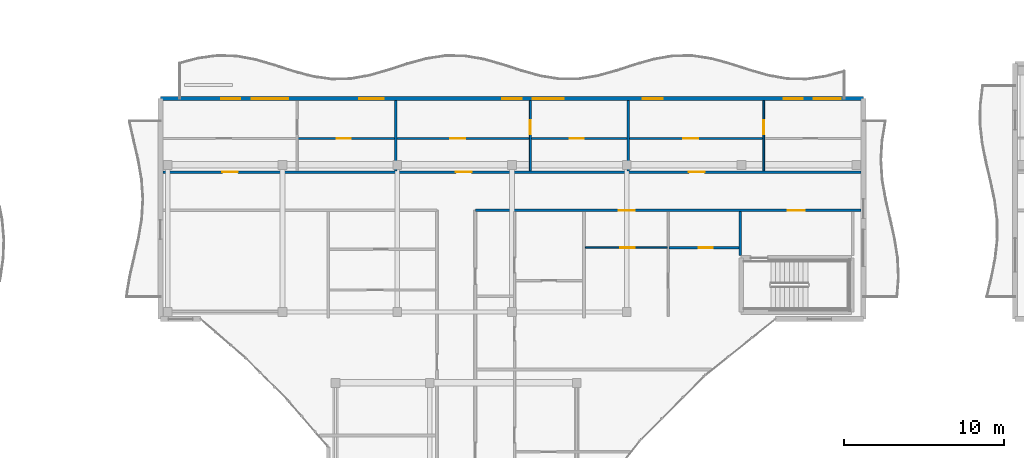
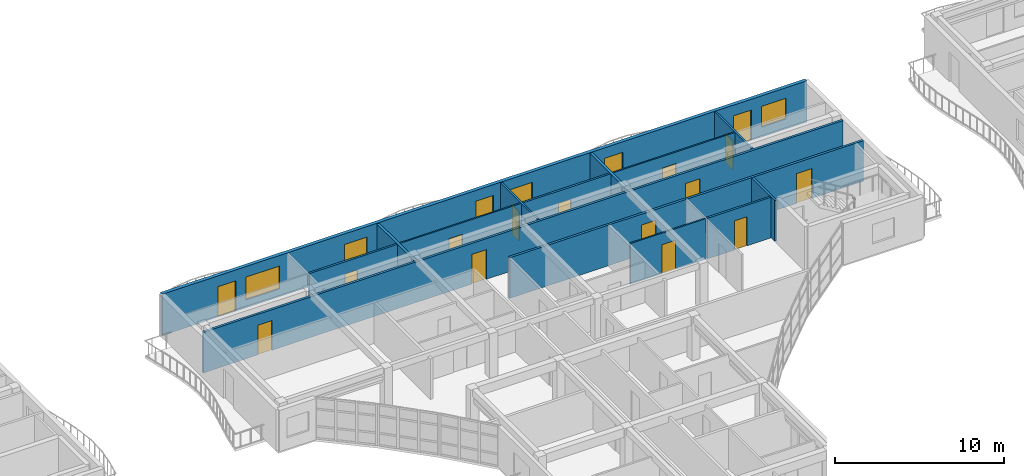
# One storey, part 31 of 49: 16 doors, 14 walls, 5 windows, 21 openings.
"""IFC4 building model written with IfcOpenShell, lengths in metres."""

from ifc_helpers import new_model, si_unit, direction, frame, frame_2d, origin, place, context, subcontext, project, spatial, rectangle, extrude, material, layer, layer_set, type_object, element, fill, save


model = new_model("IFC4")

# Units and contexts
model_context = context("Model", 3, precision=1e-05, world=origin(), true_north=direction((0.0, 1.0)))
body_context = subcontext(model_context, "Body", "Model", "MODEL_VIEW")
ifc_project = project(units=[si_unit("LENGTHUNIT", "METRE"), si_unit("AREAUNIT", "SQUARE_METRE"), si_unit("VOLUMEUNIT", "CUBIC_METRE"), si_unit("PLANEANGLEUNIT", "RADIAN"), si_unit("MASSUNIT", "GRAM", prefix="KILO")], contexts=[model_context])

# Site, building, storey
site_placement = place(None, origin())
site = spatial("IfcSite", under=ifc_project, at=site_placement, CompositionType="ELEMENT")
building_placement = place(site_placement, origin())
building = spatial("IfcBuilding", under=site, at=building_placement, Name="Keldmere Railside Commons", CompositionType="ELEMENT")
storey_placement = place(building_placement, frame((0.0, 0.0, 29.760009765625)))
storey = spatial("IfcBuildingStorey", under=building, at=storey_placement, Name="L09", CompositionType="ELEMENT", Elevation=29.760009765625)

# Walls
ifc_material_1 = material(Name="Acoustic Gypsum Board Partition", Category="gypsum")
ifc_layer_1 = layer(ifc_material_1, 0.179931640625, Name="Acoustic Demising Partition 180")
ifc_layer_set_1 = layer_set([ifc_layer_1], Name="Acoustic Gypsum Board Partition")
wall_type_1 = type_object("IfcWallType", Name="Acoustic Demising Partition 180", PredefinedType="PARTITIONING", material=ifc_layer_set_1)
for number, where, z_axis, x_axis, name in (
    (1, (108.219970703125, 109.280029296875, 0.0), (0.0, 0.0, 1.0), (0.0, 1.0, 0.0), "IW-1 IW-L09-1297"),
    (2, (122.780029296875, 109.280029296875, 0.0), (0.0, 0.0, 1.0), (0.0, 1.0, 0.0), "IW-1 IW-L09-1298"),
):
    element("IfcWall", number, at=place(storey_placement, frame(where, z_axis=z_axis, x_axis=x_axis)), inside=storey, type_object=wall_type_1, Name=name, PredefinedType="PARTITIONING", context=body_context, shape_type="SweptSolid", body=[
        extrude(rectangle(XDim=4.39990234375, YDim=0.179931640625, at=frame_2d((2.199951171875, 0.0))), origin(), (0.0, 0.0, 1.0), 2.93505859375),
    ])

# Wall, opening, door
ifc_layer_2 = layer(ifc_material_1, 0.1201171875, Name="Apartment Interior Partition 120")
ifc_layer_set_2 = layer_set([ifc_layer_2], Name="Acoustic Gypsum Board Partition")
wall_type_2 = type_object("IfcWallType", Name="Apartment Interior Partition 120", PredefinedType="PARTITIONING", material=ifc_layer_set_2)
wall_1_placement = place(storey_placement, frame((116.64990234375, 109.280029296875, 0.0), z_axis=(0.0, 0.0, 1.0), x_axis=(0.0, 1.0, 0.0)))
wall_1 = element("IfcWall", 3, at=wall_1_placement, inside=storey, type_object=wall_type_2, Name="IW-4 IW-L09-1302", PredefinedType="PARTITIONING", context=body_context, shape_type="SweptSolid", body=[
    extrude(rectangle(XDim=4.39990234375, YDim=0.1201171875, at=frame_2d((2.199951171875, 0.0))), origin(), (0.0, 0.0, 1.0), 2.93505859375),
])
opening_1_placement = place(wall_1_placement, frame((2.29638671875, 0.0, 0.0)))
opening_1 = element("IfcOpeningElement", 4, at=opening_1_placement, cuts=wall_1, Name="Opening ID-04", PredefinedType="OPENING", context=body_context, shape_type="SweptSolid", body=[
    extrude(rectangle(XDim=0.860107421875, YDim=2.10009765625, at=frame_2d((0.43017578125, 1.050048828125))), frame((0.0, 0.070068359375, 0.0), z_axis=(0.0, -1.0, 0.0), x_axis=(1.0, 0.0, 0.0)), (0.0, 0.0, 1.0), 0.14013671875),
])
ifc_material_2 = material(Name="Engineered Oak Timber", Category="wood")
door_type_1 = type_object("IfcDoorType", Name="Apartment Bathroom Door 860x2100", OperationType="NOTDEFINED", PredefinedType="DOOR", material=ifc_material_2)
door_1_placement = place(opening_1_placement, origin())
door_1 = element("IfcDoor", 5, at=door_1_placement, inside=storey, type_object=door_type_1, Name="ID-04 IDR-L09-1162", OperationType="SINGLE_SWING_RIGHT", OverallHeight=2.10009765625, OverallWidth=0.860107421875, PredefinedType="DOOR", context=body_context, shape_type="SweptSolid", body=[
    extrude(rectangle(XDim=0.860107421875, YDim=2.10009765625, at=frame_2d((0.43017578125, 1.050048828125))), frame((0.0, 0.02490234375, 0.0), z_axis=(0.0, -1.0, 0.0), x_axis=(1.0, 0.0, 0.0)), (0.0, 0.0, 1.0), 0.050048828125),
])
fill(opening_1, door_1)

wall_2_placement = place(storey_placement, frame((131.260009765625, 109.280029296875, 0.0), z_axis=(0.0, 0.0, 1.0), x_axis=(0.0, 1.0, 0.0)))
wall_2 = element("IfcWall", 6, at=wall_2_placement, inside=storey, type_object=wall_type_2, Name="IW-4 IW-L09-1305", PredefinedType="PARTITIONING", context=body_context, shape_type="SweptSolid", body=[
    extrude(rectangle(XDim=4.39990234375, YDim=0.1201171875, at=frame_2d((2.199951171875, 0.0))), origin(), (0.0, 0.0, 1.0), 2.93505859375),
])
opening_2_placement = place(wall_2_placement, frame((2.29638671875, 0.0, 0.0)))
opening_2 = element("IfcOpeningElement", 7, at=opening_2_placement, cuts=wall_2, Name="Opening ID-04", PredefinedType="OPENING", context=body_context, shape_type="SweptSolid", body=[
    extrude(rectangle(XDim=0.860107421875, YDim=2.10009765625, at=frame_2d((0.43017578125, 1.050048828125))), frame((0.0, 0.070068359375, 0.0), z_axis=(0.0, -1.0, 0.0), x_axis=(1.0, 0.0, 0.0)), (0.0, 0.0, 1.0), 0.14013671875),
])
door_2_placement = place(opening_2_placement, origin())
door_2 = element("IfcDoor", 8, at=door_2_placement, inside=storey, type_object=door_type_1, Name="ID-04 IDR-L09-1166", OperationType="SINGLE_SWING_RIGHT", OverallHeight=2.10009765625, OverallWidth=0.860107421875, PredefinedType="DOOR", context=body_context, shape_type="SweptSolid", body=[
    extrude(rectangle(XDim=0.860107421875, YDim=2.10009765625, at=frame_2d((0.43017578125, 1.050048828125))), frame((0.0, 0.02490234375, 0.0), z_axis=(0.0, -1.0, 0.0), x_axis=(1.0, 0.0, 0.0)), (0.0, 0.0, 1.0), 0.050048828125),
])
fill(opening_2, door_2)

ifc_layer_3 = layer(ifc_material_1, 0.10009765625, Name="Closet Light Partition 100")
ifc_layer_set_3 = layer_set([ifc_layer_3], Name="Acoustic Gypsum Board Partition")
wall_type_3 = type_object("IfcWallType", Name="Closet Light Partition 100", PredefinedType="PARTITIONING", material=ifc_layer_set_3)
wall_3_placement = place(storey_placement, frame((108.31005859375, 111.300048828125, 0.0), z_axis=(0.0, 0.0, 1.0), x_axis=(1.0, 0.0, 0.0)))
wall_3 = element("IfcWall", 9, at=wall_3_placement, inside=storey, type_object=wall_type_3, Name="IW-6 IW-L09-1304", PredefinedType="PARTITIONING", context=body_context, shape_type="SweptSolid", body=[
    extrude(rectangle(XDim=8.280029296875, YDim=0.10009765625, at=frame_2d((4.14013671875, 0.0))), origin(), (0.0, 0.0, 1.0), 2.93505859375),
])
opening_3_placement = place(wall_3_placement, frame((3.3359375, 0.0, 0.0)))
opening_3 = element("IfcOpeningElement", 10, at=opening_3_placement, cuts=wall_3, Name="Opening ID-03", PredefinedType="OPENING", context=body_context, shape_type="SweptSolid", body=[
    extrude(rectangle(XDim=0.919921875, YDim=2.10009765625, at=frame_2d((0.4599609375, 1.050048828125))), frame((0.0, 0.06005859375, 0.0), z_axis=(0.0, -1.0, 0.0), x_axis=(1.0, 0.0, 0.0)), (0.0, 0.0, 1.0), 0.1201171875),
])
door_type_2 = type_object("IfcDoorType", Name="Kitchen Pocket-Frame Swing Door 920x2100", OperationType="NOTDEFINED", PredefinedType="DOOR", material=ifc_material_2)
door_3_placement = place(opening_3_placement, origin())
door_3 = element("IfcDoor", 11, at=door_3_placement, inside=storey, type_object=door_type_2, Name="ID-03 IDR-L09-1161", OperationType="SINGLE_SWING_LEFT", OverallHeight=2.10009765625, OverallWidth=0.919921875, PredefinedType="DOOR", context=body_context, shape_type="SweptSolid", body=[
    extrude(rectangle(XDim=0.919921875, YDim=2.10009765625, at=frame_2d((0.4599609375, 1.050048828125))), frame((0.0, 0.02490234375, 0.0), z_axis=(0.0, -1.0, 0.0), x_axis=(1.0, 0.0, 0.0)), (0.0, 0.0, 1.0), 0.050048828125),
])
fill(opening_3, door_3)

wall_4_placement = place(storey_placement, frame((122.8701171875, 111.300048828125, 0.0), z_axis=(0.0, 0.0, 1.0), x_axis=(1.0, 0.0, 0.0)))
wall_4 = element("IfcWall", 12, at=wall_4_placement, inside=storey, type_object=wall_type_3, Name="IW-6 IW-L09-1307", PredefinedType="PARTITIONING", context=body_context, shape_type="SweptSolid", body=[
    extrude(rectangle(XDim=8.329833984375, YDim=0.10009765625, at=frame_2d((4.1650390625, 0.0))), origin(), (0.0, 0.0, 1.0), 2.93505859375),
])
opening_4_placement = place(wall_4_placement, frame((3.35595703125, 0.0, 0.0)))
opening_4 = element("IfcOpeningElement", 13, at=opening_4_placement, cuts=wall_4, Name="Opening ID-03", PredefinedType="OPENING", context=body_context, shape_type="SweptSolid", body=[
    extrude(rectangle(XDim=0.919921875, YDim=2.10009765625, at=frame_2d((0.4599609375, 1.050048828125))), frame((0.0, 0.06005859375, 0.0), z_axis=(0.0, -1.0, 0.0), x_axis=(1.0, 0.0, 0.0)), (0.0, 0.0, 1.0), 0.1201171875),
])
door_4_placement = place(opening_4_placement, origin())
door_4 = element("IfcDoor", 14, at=door_4_placement, inside=storey, type_object=door_type_2, Name="ID-03 IDR-L09-1165", OperationType="SINGLE_SWING_LEFT", OverallHeight=2.10009765625, OverallWidth=0.919921875, PredefinedType="DOOR", context=body_context, shape_type="SweptSolid", body=[
    extrude(rectangle(XDim=0.919921875, YDim=2.10009765625, at=frame_2d((0.4599609375, 1.050048828125))), frame((0.0, 0.02490234375, 0.0), z_axis=(0.0, -1.0, 0.0), x_axis=(1.0, 0.0, 0.0)), (0.0, 0.0, 1.0), 0.050048828125),
])
fill(opening_4, door_4)

wall_5_placement = place(storey_placement, frame((120.090087890625, 104.469970703125, 0.0), z_axis=(0.0, 0.0, 1.0), x_axis=(1.0, 0.0, 0.0)))
wall_5 = element("IfcWall", 15, at=wall_5_placement, inside=storey, type_object=wall_type_3, Name="IW-6 IW-L09-1310", PredefinedType="PARTITIONING", context=body_context, shape_type="SweptSolid", body=[
    extrude(rectangle(XDim=5.1298828125, YDim=0.10009765625, at=frame_2d((2.56494140625, 0.0))), origin(), (0.0, 0.0, 1.0), 2.93505859375),
])
opening_5_placement = place(wall_5_placement, frame((2.1796875, 0.0, 0.0)))
opening_5 = element("IfcOpeningElement", 16, at=opening_5_placement, cuts=wall_5, Name="Opening ID-03", PredefinedType="OPENING", context=body_context, shape_type="SweptSolid", body=[
    extrude(rectangle(XDim=0.919921875, YDim=2.10009765625, at=frame_2d((0.4599609375, 1.050048828125))), frame((0.0, 0.06005859375, 0.0), z_axis=(0.0, -1.0, 0.0), x_axis=(1.0, 0.0, 0.0)), (0.0, 0.0, 1.0), 0.1201171875),
])
door_5_placement = place(opening_5_placement, origin())
door_5 = element("IfcDoor", 17, at=door_5_placement, inside=storey, type_object=door_type_2, Name="ID-03 IDR-L09-1169", OperationType="SINGLE_SWING_LEFT", OverallHeight=2.10009765625, OverallWidth=0.919921875, PredefinedType="DOOR", context=body_context, shape_type="SweptSolid", body=[
    extrude(rectangle(XDim=0.919921875, YDim=2.10009765625, at=frame_2d((0.4599609375, 1.050048828125))), frame((0.0, 0.02490234375, 0.0), z_axis=(0.0, -1.0, 0.0), x_axis=(1.0, 0.0, 0.0)), (0.0, 0.0, 1.0), 0.050048828125),
])
fill(opening_5, door_5)

# Wall, openings, doors
ifc_layer_4 = layer(ifc_material_1, 0.159912109375, Name="Corridor Fire Partition 160")
ifc_layer_set_4 = layer_set([ifc_layer_4], Name="Acoustic Gypsum Board Partition")
wall_type_4 = type_object("IfcWallType", Name="Corridor Fire Partition 160", PredefinedType="PARTITIONING", material=ifc_layer_set_4)
wall_6_placement = place(storey_placement, frame((113.199951171875, 106.800048828125, 0.0), z_axis=(0.0, 0.0, 1.0), x_axis=(1.0, 0.0, 0.0)))
wall_6 = element("IfcWall", 18, at=wall_6_placement, inside=storey, type_object=wall_type_4, Name="IW-2 IW-L09-1275", PredefinedType="PARTITIONING", context=body_context, shape_type="SweptSolid", body=[
    extrude(rectangle(XDim=24.14013671875, YDim=0.159912109375, at=frame_2d((12.070068359375, 0.0))), origin(), (0.0, 0.0, 1.0), 2.93505859375),
])
opening_6_placement = place(wall_6_placement, frame((19.574951171875, 0.0, 0.0)))
opening_6 = element("IfcOpeningElement", 19, at=opening_6_placement, cuts=wall_6, Name="Opening FD-1", PredefinedType="OPENING", context=body_context, shape_type="SweptSolid", body=[
    extrude(rectangle(XDim=1.050048828125, YDim=2.14990234375, at=frame_2d((0.52490234375, 1.074951171875))), frame((0.0, 0.08984375, 0.0), z_axis=(0.0, -1.0, 0.0), x_axis=(1.0, 0.0, 0.0)), (0.0, 0.0, 1.0), 0.179931640625),
])
opening_7_placement = place(wall_6_placement, frame((8.9951171875, 0.0, 0.0)))
opening_7 = element("IfcOpeningElement", 20, at=opening_7_placement, cuts=wall_6, Name="Opening FD-7", PredefinedType="OPENING", context=body_context, shape_type="SweptSolid", body=[
    extrude(rectangle(XDim=0.97998046875, YDim=2.14990234375, at=frame_2d((0.489990234375, 1.074951171875))), frame((0.0, 0.08984375, 0.0), z_axis=(0.0, -1.0, 0.0), x_axis=(1.0, 0.0, 0.0)), (0.0, 0.0, 1.0), 0.179931640625),
])
door_type_3 = type_object("IfcDoorType", Name="Apartment Entrance Acoustic Fire Door 980x2150", OperationType="NOTDEFINED", PredefinedType="DOOR", material=ifc_material_2)
door_6_placement = place(opening_7_placement, origin())
door_6 = element("IfcDoor", 21, at=door_6_placement, inside=storey, type_object=door_type_3, Name="FD-7 IDR-L09-1168", OperationType="SINGLE_SWING_RIGHT", OverallHeight=2.14990234375, OverallWidth=0.97998046875, PredefinedType="DOOR", context=body_context, shape_type="SweptSolid", body=[
    extrude(rectangle(XDim=0.97998046875, YDim=2.14990234375, at=frame_2d((0.489990234375, 1.074951171875))), frame((0.0, 0.02490234375, 0.0), z_axis=(0.0, -1.0, 0.0), x_axis=(1.0, 0.0, 0.0)), (0.0, 0.0, 1.0), 0.050048828125),
])
fill(opening_7, door_6)
ifc_material_3 = material(Name="Steel F-24 (S235)", Category="steel")
door_type_4 = type_object("IfcDoorType", Name="Stair Core Fire Door 1050x2150", OperationType="NOTDEFINED", PredefinedType="DOOR", material=ifc_material_3)
door_7_placement = place(opening_6_placement, origin())
door_7 = element("IfcDoor", 22, at=door_7_placement, inside=storey, type_object=door_type_4, Name="FD-1 IDR-L09-1136", OperationType="SINGLE_SWING_RIGHT", OverallHeight=2.14990234375, OverallWidth=1.050048828125, PredefinedType="DOOR", context=body_context, shape_type="SweptSolid", body=[
    extrude(rectangle(XDim=1.050048828125, YDim=2.14990234375, at=frame_2d((0.52490234375, 1.074951171875))), frame((0.0, 0.02490234375, 0.0), z_axis=(0.0, -1.0, 0.0), x_axis=(1.0, 0.0, 0.0)), (0.0, 0.0, 1.0), 0.050048828125),
])
fill(opening_6, door_7)

wall_7_placement = place(storey_placement, frame((93.659912109375, 109.199951171875, 0.0), z_axis=(0.0, 0.0, 1.0), x_axis=(1.0, 0.0, 0.0)))
wall_7 = element("IfcWall", 23, at=wall_7_placement, inside=storey, type_object=wall_type_4, Name="IW-2 IW-L09-1276", PredefinedType="PARTITIONING", context=body_context, shape_type="SweptSolid", body=[
    extrude(rectangle(XDim=43.68017578125, YDim=0.159912109375, at=frame_2d((21.840087890625, 0.0))), origin(), (0.0, 0.0, 1.0), 2.93505859375),
])
opening_8_placement = place(wall_7_placement, frame((3.705078125, 0.0, 0.0)))
opening_8 = element("IfcOpeningElement", 24, at=opening_8_placement, cuts=wall_7, Name="Opening FD-7", PredefinedType="OPENING", context=body_context, shape_type="SweptSolid", body=[
    extrude(rectangle(XDim=0.97998046875, YDim=2.14990234375, at=frame_2d((0.489990234375, 1.074951171875))), frame((0.0, 0.08984375, 0.0), z_axis=(0.0, -1.0, 0.0), x_axis=(1.0, 0.0, 0.0)), (0.0, 0.0, 1.0), 0.179931640625),
])
opening_9_placement = place(wall_7_placement, frame((18.330078125, 0.0, 0.0)))
opening_9 = element("IfcOpeningElement", 25, at=opening_9_placement, cuts=wall_7, Name="Opening FD-7", PredefinedType="OPENING", context=body_context, shape_type="SweptSolid", body=[
    extrude(rectangle(XDim=0.97998046875, YDim=2.14990234375, at=frame_2d((0.489990234375, 1.074951171875))), frame((0.0, 0.08984375, 0.0), z_axis=(0.0, -1.0, 0.0), x_axis=(1.0, 0.0, 0.0)), (0.0, 0.0, 1.0), 0.179931640625),
])
opening_10_placement = place(wall_7_placement, frame((32.9150390625, 0.0, 0.0)))
opening_10 = element("IfcOpeningElement", 26, at=opening_10_placement, cuts=wall_7, Name="Opening FD-7", PredefinedType="OPENING", context=body_context, shape_type="SweptSolid", body=[
    extrude(rectangle(XDim=0.97998046875, YDim=2.14990234375, at=frame_2d((0.489990234375, 1.074951171875))), frame((0.0, 0.08984375, 0.0), z_axis=(0.0, -1.0, 0.0), x_axis=(1.0, 0.0, 0.0)), (0.0, 0.0, 1.0), 0.179931640625),
])
door_8_placement = place(opening_8_placement, origin())
door_8 = element("IfcDoor", 27, at=door_8_placement, inside=storey, type_object=door_type_3, Name="FD-7 IDR-L09-1156", OperationType="SINGLE_SWING_RIGHT", OverallHeight=2.14990234375, OverallWidth=0.97998046875, PredefinedType="DOOR", context=body_context, shape_type="SweptSolid", body=[
    extrude(rectangle(XDim=0.97998046875, YDim=2.14990234375, at=frame_2d((0.489990234375, 1.074951171875))), frame((0.0, 0.02490234375, 0.0), z_axis=(0.0, -1.0, 0.0), x_axis=(1.0, 0.0, 0.0)), (0.0, 0.0, 1.0), 0.050048828125),
])
fill(opening_8, door_8)
door_9_placement = place(opening_9_placement, origin())
door_9 = element("IfcDoor", 28, at=door_9_placement, inside=storey, type_object=door_type_3, Name="FD-7 IDR-L09-1160", OperationType="SINGLE_SWING_RIGHT", OverallHeight=2.14990234375, OverallWidth=0.97998046875, PredefinedType="DOOR", context=body_context, shape_type="SweptSolid", body=[
    extrude(rectangle(XDim=0.97998046875, YDim=2.14990234375, at=frame_2d((0.489990234375, 1.074951171875))), frame((0.0, 0.02490234375, 0.0), z_axis=(0.0, -1.0, 0.0), x_axis=(1.0, 0.0, 0.0)), (0.0, 0.0, 1.0), 0.050048828125),
])
fill(opening_9, door_9)
door_10_placement = place(opening_10_placement, origin())
door_10 = element("IfcDoor", 29, at=door_10_placement, inside=storey, type_object=door_type_3, Name="FD-7 IDR-L09-1164", OperationType="SINGLE_SWING_RIGHT", OverallHeight=2.14990234375, OverallWidth=0.97998046875, PredefinedType="DOOR", context=body_context, shape_type="SweptSolid", body=[
    extrude(rectangle(XDim=0.97998046875, YDim=2.14990234375, at=frame_2d((0.489990234375, 1.074951171875))), frame((0.0, 0.02490234375, 0.0), z_axis=(0.0, -1.0, 0.0), x_axis=(1.0, 0.0, 0.0)), (0.0, 0.0, 1.0), 0.050048828125),
])
fill(opening_10, door_10)

# Wall
ifc_layer_5 = layer(ifc_material_1, 0.14990234375, Name="Lobby Rated Partition 150")
ifc_layer_set_5 = layer_set([ifc_layer_5], Name="Acoustic Gypsum Board Partition")
wall_type_5 = type_object("IfcWallType", Name="Lobby Rated Partition 150", PredefinedType="PARTITIONING", material=ifc_layer_set_5)
wall_8_placement = place(storey_placement, frame((129.780029296875, 103.989990234375, 0.0), z_axis=(0.0, 0.0, 1.0), x_axis=(0.0, 1.0, 0.0)))
element("IfcWall", 30, at=wall_8_placement, inside=storey, type_object=wall_type_5, Name="IW-3 IW-L09-1279", PredefinedType="PARTITIONING", context=body_context, shape_type="SweptSolid", body=[
    extrude(rectangle(XDim=2.72998046875, YDim=0.14990234375, at=frame_2d((1.364990234375, 0.0))), origin(), (0.0, 0.0, 1.0), 2.93505859375),
])

# Wall, openings, windows, doors
ifc_material_4 = material(Name="Architectural Precast Concrete H-35 (C35/45)", Category="concrete")
ifc_layer_6 = layer(ifc_material_4, 0.239990234375, Name="Sand-Ochre Precast Cavity Wall 240")
ifc_layer_set_6 = layer_set([ifc_layer_6], Name="Architectural Precast Concrete H-35 (C35/45)")
wall_type_6 = type_object("IfcWallType", Name="Sand-Ochre Precast Cavity Wall 240", PredefinedType="SOLIDWALL", material=ifc_layer_set_6)
wall_9_placement = place(storey_placement, frame((93.5, 113.800048828125, 0.0), z_axis=(0.0, 0.0, 1.0), x_axis=(1.0, 0.0, 0.0)))
wall_9 = element("IfcWall", 31, at=wall_9_placement, inside=storey, type_object=wall_type_6, Name="EW-2 EXTB-L09-0659", PredefinedType="SOLIDWALL", context=body_context, shape_type="SweptSolid", body=[
    extrude(rectangle(XDim=44.0, YDim=0.239990234375, at=frame_2d((22.0, 0.0))), origin(), (0.0, 0.0, 1.0), 2.97998046875),
])
opening_11_placement = place(wall_9_placement, frame((3.800048828125, 0.0, 0.0)))
opening_11 = element("IfcOpeningElement", 32, at=opening_11_placement, cuts=wall_9, Name="Opening BD-01", PredefinedType="OPENING", context=body_context, shape_type="SweptSolid", body=[
    extrude(rectangle(XDim=1.199951171875, YDim=2.199951171875, at=frame_2d((0.60009765625, 1.10009765625))), frame((0.0, 0.1298828125, 0.0), z_axis=(0.0, -1.0, 0.0), x_axis=(1.0, 0.0, 0.0)), (0.0, 0.0, 1.0), 0.260009765625),
])
opening_12_placement = place(wall_9_placement, frame((5.699951171875, 0.0, 0.570068359375)))
opening_12 = element("IfcOpeningElement", 33, at=opening_12_placement, cuts=wall_9, Name="Opening WN-23", PredefinedType="OPENING", context=body_context, shape_type="SweptSolid", body=[
    extrude(rectangle(XDim=2.300048828125, YDim=1.64990234375, at=frame_2d((1.14990234375, 0.824951171875))), frame((0.0, 0.1298828125, 0.0), z_axis=(0.0, -1.0, 0.0), x_axis=(1.0, 0.0, 0.0)), (0.0, 0.0, 1.0), 0.260009765625),
])
opening_13_placement = place(wall_9_placement, frame((12.425048828125, 0.0, 0.820068359375)))
opening_13 = element("IfcOpeningElement", 34, at=opening_13_placement, cuts=wall_9, Name="Opening WN-07", PredefinedType="OPENING", context=body_context, shape_type="SweptSolid", body=[
    extrude(rectangle(XDim=1.550048828125, YDim=1.39990234375, at=frame_2d((0.77490234375, 0.699951171875))), frame((0.0, 0.1298828125, 0.0), z_axis=(0.0, -1.0, 0.0), x_axis=(1.0, 0.0, 0.0)), (0.0, 0.0, 1.0), 0.260009765625),
])
opening_14_placement = place(wall_9_placement, frame((21.39990234375, 0.0, 0.0)))
opening_14 = element("IfcOpeningElement", 35, at=opening_14_placement, cuts=wall_9, Name="Opening BD-01", PredefinedType="OPENING", context=body_context, shape_type="SweptSolid", body=[
    extrude(rectangle(XDim=1.199951171875, YDim=2.199951171875, at=frame_2d((0.60009765625, 1.10009765625))), frame((0.0, 0.1298828125, 0.0), z_axis=(0.0, -1.0, 0.0), x_axis=(1.0, 0.0, 0.0)), (0.0, 0.0, 1.0), 0.260009765625),
])
opening_15_placement = place(wall_9_placement, frame((23.300048828125, 0.0, 0.719970703125)))
opening_15 = element("IfcOpeningElement", 36, at=opening_15_placement, cuts=wall_9, Name="Opening WN-38", PredefinedType="OPENING", context=body_context, shape_type="SweptSolid", body=[
    extrude(rectangle(XDim=1.949951171875, YDim=1.5, at=frame_2d((0.97509765625, 0.75))), frame((0.0, 0.1298828125, 0.0), z_axis=(0.0, -1.0, 0.0), x_axis=(1.0, 0.0, 0.0)), (0.0, 0.0, 1.0), 0.260009765625),
])
opening_16_placement = place(wall_9_placement, frame((30.175048828125, 0.0, 0.8701171875)))
opening_16 = element("IfcOpeningElement", 37, at=opening_16_placement, cuts=wall_9, Name="Opening WN-09", PredefinedType="OPENING", context=body_context, shape_type="SweptSolid", body=[
    extrude(rectangle(XDim=1.25, YDim=1.35009765625, at=frame_2d((0.625, 0.675048828125))), frame((0.0, 0.1298828125, 0.0), z_axis=(0.0, -1.0, 0.0), x_axis=(1.0, 0.0, 0.0)), (0.0, 0.0, 1.0), 0.260009765625),
])
opening_17_placement = place(wall_9_placement, frame((39.0, 0.0, 0.0)))
opening_17 = element("IfcOpeningElement", 38, at=opening_17_placement, cuts=wall_9, Name="Opening BD-01", PredefinedType="OPENING", context=body_context, shape_type="SweptSolid", body=[
    extrude(rectangle(XDim=1.199951171875, YDim=2.199951171875, at=frame_2d((0.60009765625, 1.10009765625))), frame((0.0, 0.1298828125, 0.0), z_axis=(0.0, -1.0, 0.0), x_axis=(1.0, 0.0, 0.0)), (0.0, 0.0, 1.0), 0.260009765625),
])
opening_18_placement = place(wall_9_placement, frame((40.89990234375, 0.0, 0.719970703125)))
opening_18 = element("IfcOpeningElement", 39, at=opening_18_placement, cuts=wall_9, Name="Opening WN-40", PredefinedType="OPENING", context=body_context, shape_type="SweptSolid", body=[
    extrude(rectangle(XDim=1.679931640625, YDim=1.5, at=frame_2d((0.83984375, 0.75))), frame((0.0, 0.1298828125, 0.0), z_axis=(0.0, -1.0, 0.0), x_axis=(1.0, 0.0, 0.0)), (0.0, 0.0, 1.0), 0.260009765625),
])
ifc_material_5 = material(Name="Low-E Insulated Double Glazing", Category="glass")
window_type_1 = type_object("IfcWindowType", Name="Adaptable Apartment Wide Window 1950x1500", PartitioningType="SINGLE_PANEL", PredefinedType="WINDOW", material=ifc_material_5)
window_1_placement = place(opening_15_placement, origin())
window_1 = element("IfcWindow", 40, at=window_1_placement, inside=storey, type_object=window_type_1, Name="WN-38 WIN-L09-0517", OverallHeight=1.5, OverallWidth=1.949951171875, PartitioningType="SINGLE_PANEL", PredefinedType="WINDOW", context=body_context, shape_type="SweptSolid", body=[
    extrude(rectangle(XDim=1.949951171875, YDim=1.5, at=frame_2d((0.97509765625, 0.75))), frame((0.0, 0.030029296875, 0.0), z_axis=(0.0, -1.0, 0.0), x_axis=(1.0, 0.0, 0.0)), (0.0, 0.0, 1.0), 0.06005859375),
])
fill(opening_15, window_1)
ifc_material_6 = material(Name="Thermally Broken Aluminium", Category="aluminium")
door_type_5 = type_object("IfcDoorType", Name="Apartment Living Wave-Balcony Glazed Door 1200x2200", OperationType="NOTDEFINED", PredefinedType="DOOR", material=ifc_material_6)
door_11_placement = place(opening_11_placement, origin())
door_11 = element("IfcDoor", 41, at=door_11_placement, inside=storey, type_object=door_type_5, Name="BD-01 DR-L09-0193", OperationType="SINGLE_SWING_LEFT", OverallHeight=2.199951171875, OverallWidth=1.199951171875, PredefinedType="DOOR", context=body_context, shape_type="SweptSolid", body=[
    extrude(rectangle(XDim=1.199951171875, YDim=2.199951171875, at=frame_2d((0.60009765625, 1.10009765625))), frame((0.0, 0.02490234375, 0.0), z_axis=(0.0, -1.0, 0.0), x_axis=(1.0, 0.0, 0.0)), (0.0, 0.0, 1.0), 0.050048828125),
])
fill(opening_11, door_11)
door_12_placement = place(opening_14_placement, origin())
door_12 = element("IfcDoor", 42, at=door_12_placement, inside=storey, type_object=door_type_5, Name="BD-01 DR-L09-0194", OperationType="SINGLE_SWING_RIGHT", OverallHeight=2.199951171875, OverallWidth=1.199951171875, PredefinedType="DOOR", context=body_context, shape_type="SweptSolid", body=[
    extrude(rectangle(XDim=1.199951171875, YDim=2.199951171875, at=frame_2d((0.60009765625, 1.10009765625))), frame((0.0, 0.02490234375, 0.0), z_axis=(0.0, -1.0, 0.0), x_axis=(1.0, 0.0, 0.0)), (0.0, 0.0, 1.0), 0.050048828125),
])
fill(opening_14, door_12)
door_13_placement = place(opening_17_placement, origin())
door_13 = element("IfcDoor", 43, at=door_13_placement, inside=storey, type_object=door_type_5, Name="BD-01 DR-L09-0195", OperationType="SINGLE_SWING_LEFT", OverallHeight=2.199951171875, OverallWidth=1.199951171875, PredefinedType="DOOR", context=body_context, shape_type="SweptSolid", body=[
    extrude(rectangle(XDim=1.199951171875, YDim=2.199951171875, at=frame_2d((0.60009765625, 1.10009765625))), frame((0.0, 0.02490234375, 0.0), z_axis=(0.0, -1.0, 0.0), x_axis=(1.0, 0.0, 0.0)), (0.0, 0.0, 1.0), 0.050048828125),
])
fill(opening_17, door_13)
window_type_2 = type_object("IfcWindowType", Name="Primary Bedroom South Window 1550x1400", PartitioningType="SINGLE_PANEL", PredefinedType="WINDOW", material=ifc_material_5)
window_2_placement = place(opening_13_placement, origin())
window_2 = element("IfcWindow", 44, at=window_2_placement, inside=storey, type_object=window_type_2, Name="WN-07 WIN-L09-0516", OverallHeight=1.39990234375, OverallWidth=1.550048828125, PartitioningType="SINGLE_PANEL", PredefinedType="WINDOW", context=body_context, shape_type="SweptSolid", body=[
    extrude(rectangle(XDim=1.550048828125, YDim=1.39990234375, at=frame_2d((0.77490234375, 0.699951171875))), frame((0.0, 0.030029296875, 0.0), z_axis=(0.0, -1.0, 0.0), x_axis=(1.0, 0.0, 0.0)), (0.0, 0.0, 1.0), 0.06005859375),
])
fill(opening_13, window_2)
window_type_3 = type_object("IfcWindowType", Name="Secondary Bedroom Window 1250x1350", PartitioningType="SINGLE_PANEL", PredefinedType="WINDOW", material=ifc_material_5)
window_3_placement = place(opening_16_placement, origin())
window_3 = element("IfcWindow", 45, at=window_3_placement, inside=storey, type_object=window_type_3, Name="WN-09 WIN-L09-0518", OverallHeight=1.35009765625, OverallWidth=1.25, PartitioningType="SINGLE_PANEL", PredefinedType="WINDOW", context=body_context, shape_type="SweptSolid", body=[
    extrude(rectangle(XDim=1.25, YDim=1.35009765625, at=frame_2d((0.625, 0.675048828125))), frame((0.0, 0.030029296875, 0.0), z_axis=(0.0, -1.0, 0.0), x_axis=(1.0, 0.0, 0.0)), (0.0, 0.0, 1.0), 0.06005859375),
])
fill(opening_16, window_3)
window_type_4 = type_object("IfcWindowType", Name="Setback Terrace Penthouse Window 2300x1650", PartitioningType="SINGLE_PANEL", PredefinedType="WINDOW", material=ifc_material_5)
window_4_placement = place(opening_12_placement, origin())
window_4 = element("IfcWindow", 46, at=window_4_placement, inside=storey, type_object=window_type_4, Name="WN-23 WIN-L09-0515", OverallHeight=1.64990234375, OverallWidth=2.300048828125, PartitioningType="SINGLE_PANEL", PredefinedType="WINDOW", context=body_context, shape_type="SweptSolid", body=[
    extrude(rectangle(XDim=2.300048828125, YDim=1.64990234375, at=frame_2d((1.14990234375, 0.824951171875))), frame((0.0, 0.030029296875, 0.0), z_axis=(0.0, -1.0, 0.0), x_axis=(1.0, 0.0, 0.0)), (0.0, 0.0, 1.0), 0.06005859375),
])
fill(opening_12, window_4)
window_type_5 = type_object("IfcWindowType", Name="Two-Bed Dining Casement Window 1680x1500", PartitioningType="SINGLE_PANEL", PredefinedType="WINDOW", material=ifc_material_5)
window_5_placement = place(opening_18_placement, origin())
window_5 = element("IfcWindow", 47, at=window_5_placement, inside=storey, type_object=window_type_5, Name="WN-40 WIN-L09-0519", OverallHeight=1.5, OverallWidth=1.679931640625, PartitioningType="SINGLE_PANEL", PredefinedType="WINDOW", context=body_context, shape_type="SweptSolid", body=[
    extrude(rectangle(XDim=1.679931640625, YDim=1.5, at=frame_2d((0.83984375, 0.75))), frame((0.0, 0.030029296875, 0.0), z_axis=(0.0, -1.0, 0.0), x_axis=(1.0, 0.0, 0.0)), (0.0, 0.0, 1.0), 0.06005859375),
])
fill(opening_18, window_5)

# Wall, opening, door
ifc_layer_7 = layer(ifc_material_1, 0.139892578125, Name="Wet-Room Sanitary Partition 140")
ifc_layer_set_7 = layer_set([ifc_layer_7], Name="Acoustic Gypsum Board Partition")
wall_type_7 = type_object("IfcWallType", Name="Wet-Room Sanitary Partition 140", PredefinedType="PARTITIONING", material=ifc_layer_set_7)
wall_10_placement = place(storey_placement, frame((102.110107421875, 111.300048828125, 0.0), z_axis=(0.0, 0.0, 1.0), x_axis=(1.0, 0.0, 0.0)))
wall_10 = element("IfcWall", 48, at=wall_10_placement, inside=storey, type_object=wall_type_7, Name="IW-5 IW-L09-1300", PredefinedType="PARTITIONING", context=body_context, shape_type="SweptSolid", body=[
    extrude(rectangle(XDim=6.019775390625, YDim=0.139892578125, at=frame_2d((3.009765625, 0.0))), origin(), (0.0, 0.0, 1.0), 2.93505859375),
])
opening_19_placement = place(wall_10_placement, frame((2.431884765625, 0.0, 0.0)))
opening_19 = element("IfcOpeningElement", 49, at=opening_19_placement, cuts=wall_10, Name="Opening ID-06", PredefinedType="OPENING", context=body_context, shape_type="SweptSolid", body=[
    extrude(rectangle(XDim=0.85009765625, YDim=2.050048828125, at=frame_2d((0.425048828125, 1.02490234375))), frame((0.0, 0.079833984375, 0.0), z_axis=(0.0, -1.0, 0.0), x_axis=(1.0, 0.0, 0.0)), (0.0, 0.0, 1.0), 0.159912109375),
])
door_type_6 = type_object("IfcDoorType", Name="Storage Closet Door 850x2050", OperationType="NOTDEFINED", PredefinedType="DOOR", material=ifc_material_2)
door_14_placement = place(opening_19_placement, origin())
door_14 = element("IfcDoor", 50, at=door_14_placement, inside=storey, type_object=door_type_6, Name="ID-06 IDR-L09-1159", OperationType="SINGLE_SWING_LEFT", OverallHeight=2.050048828125, OverallWidth=0.85009765625, PredefinedType="DOOR", context=body_context, shape_type="SweptSolid", body=[
    extrude(rectangle(XDim=0.85009765625, YDim=2.050048828125, at=frame_2d((0.425048828125, 1.02490234375))), frame((0.0, 0.02490234375, 0.0), z_axis=(0.0, -1.0, 0.0), x_axis=(1.0, 0.0, 0.0)), (0.0, 0.0, 1.0), 0.050048828125),
])
fill(opening_19, door_14)

wall_11_placement = place(storey_placement, frame((116.7099609375, 111.300048828125, 0.0), z_axis=(0.0, 0.0, 1.0), x_axis=(1.0, 0.0, 0.0)))
wall_11 = element("IfcWall", 51, at=wall_11_placement, inside=storey, type_object=wall_type_7, Name="IW-5 IW-L09-1303", PredefinedType="PARTITIONING", context=body_context, shape_type="SweptSolid", body=[
    extrude(rectangle(XDim=5.97998046875, YDim=0.139892578125, at=frame_2d((2.989990234375, 0.0))), origin(), (0.0, 0.0, 1.0), 2.93505859375),
])
opening_20_placement = place(wall_11_placement, frame((2.416015625, 0.0, 0.0)))
opening_20 = element("IfcOpeningElement", 52, at=opening_20_placement, cuts=wall_11, Name="Opening ID-06", PredefinedType="OPENING", context=body_context, shape_type="SweptSolid", body=[
    extrude(rectangle(XDim=0.85009765625, YDim=2.050048828125, at=frame_2d((0.425048828125, 1.02490234375))), frame((0.0, 0.079833984375, 0.0), z_axis=(0.0, -1.0, 0.0), x_axis=(1.0, 0.0, 0.0)), (0.0, 0.0, 1.0), 0.159912109375),
])
door_15_placement = place(opening_20_placement, origin())
door_15 = element("IfcDoor", 53, at=door_15_placement, inside=storey, type_object=door_type_6, Name="ID-06 IDR-L09-1163", OperationType="SINGLE_SWING_LEFT", OverallHeight=2.050048828125, OverallWidth=0.85009765625, PredefinedType="DOOR", context=body_context, shape_type="SweptSolid", body=[
    extrude(rectangle(XDim=0.85009765625, YDim=2.050048828125, at=frame_2d((0.425048828125, 1.02490234375))), frame((0.0, 0.02490234375, 0.0), z_axis=(0.0, -1.0, 0.0), x_axis=(1.0, 0.0, 0.0)), (0.0, 0.0, 1.0), 0.050048828125),
])
fill(opening_20, door_15)

wall_12_placement = place(storey_placement, frame((125.340087890625, 104.469970703125, 0.0), z_axis=(0.0, 0.0, 1.0), x_axis=(1.0, 0.0, 0.0)))
wall_12 = element("IfcWall", 54, at=wall_12_placement, inside=storey, type_object=wall_type_7, Name="IW-5 IW-L09-1309", PredefinedType="PARTITIONING", context=body_context, shape_type="SweptSolid", body=[
    extrude(rectangle(XDim=4.35986328125, YDim=0.139892578125, at=frame_2d((2.179931640625, 0.0))), origin(), (0.0, 0.0, 1.0), 2.93505859375),
])
opening_21_placement = place(wall_12_placement, frame((1.8564453125, 0.0, 0.0)))
opening_21 = element("IfcOpeningElement", 55, at=opening_21_placement, cuts=wall_12, Name="Opening ID-04", PredefinedType="OPENING", context=body_context, shape_type="SweptSolid", body=[
    extrude(rectangle(XDim=0.860107421875, YDim=2.10009765625, at=frame_2d((0.43017578125, 1.050048828125))), frame((0.0, 0.079833984375, 0.0), z_axis=(0.0, -1.0, 0.0), x_axis=(1.0, 0.0, 0.0)), (0.0, 0.0, 1.0), 0.159912109375),
])
door_16_placement = place(opening_21_placement, origin())
door_16 = element("IfcDoor", 56, at=door_16_placement, inside=storey, type_object=door_type_1, Name="ID-04 IDR-L09-1171", OperationType="SINGLE_SWING_LEFT", OverallHeight=2.10009765625, OverallWidth=0.860107421875, PredefinedType="DOOR", context=body_context, shape_type="SweptSolid", body=[
    extrude(rectangle(XDim=0.860107421875, YDim=2.10009765625, at=frame_2d((0.43017578125, 1.050048828125))), frame((0.0, 0.02490234375, 0.0), z_axis=(0.0, -1.0, 0.0), x_axis=(1.0, 0.0, 0.0)), (0.0, 0.0, 1.0), 0.050048828125),
])
fill(opening_21, door_16)

save(model, "model.ifc")
